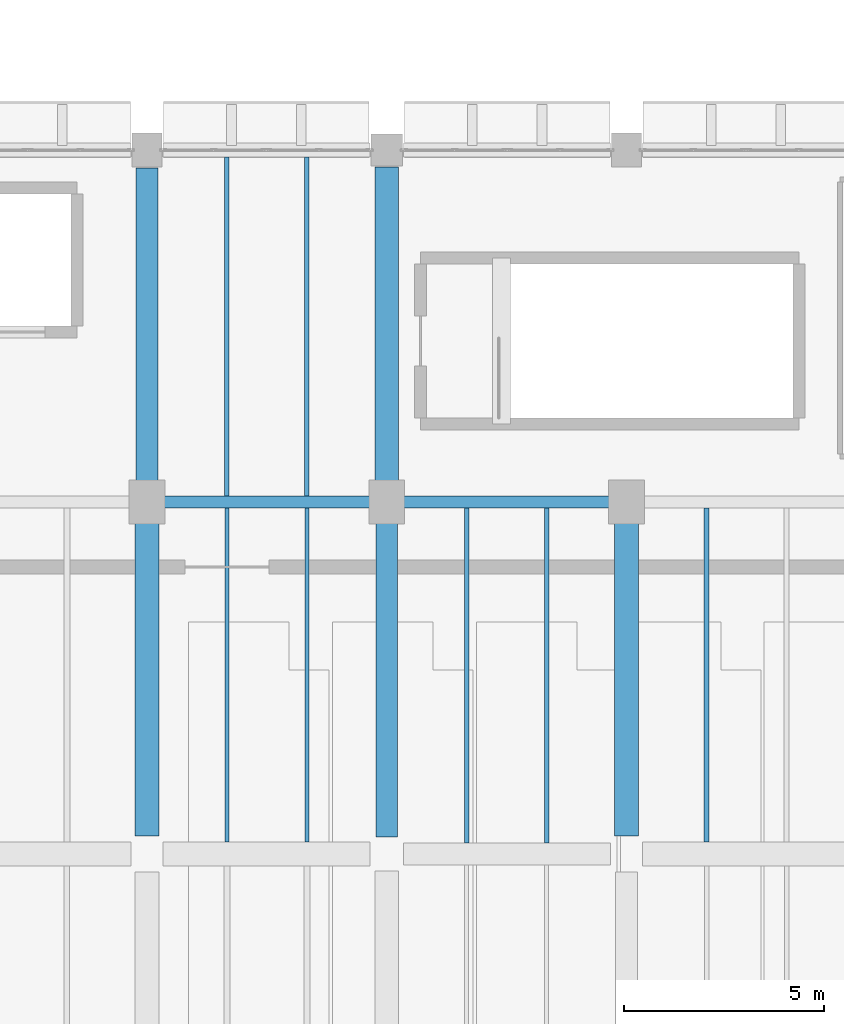
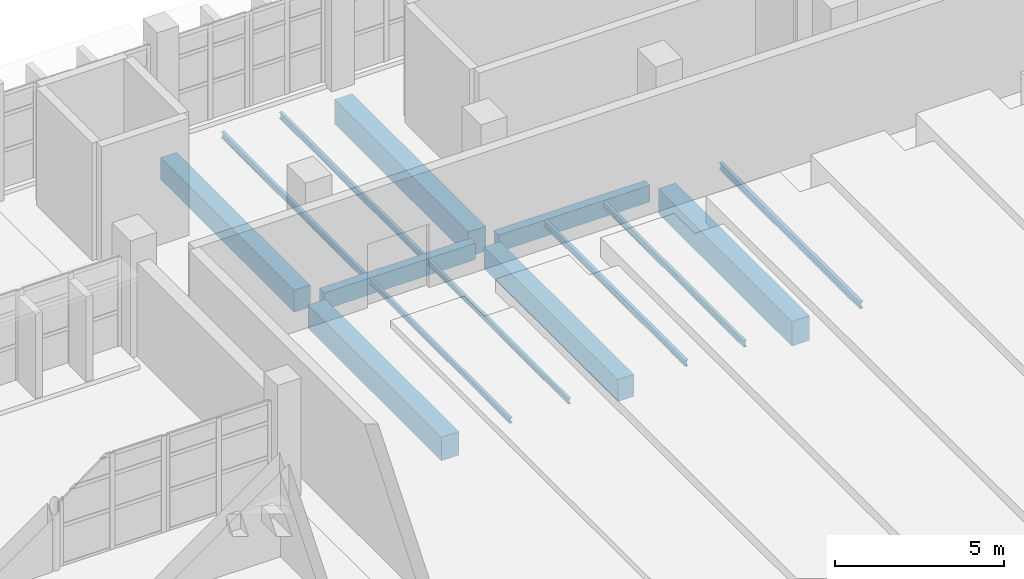
# One storey, part 31 of 76: 14 beams.
"""IFC4 building model written with IfcOpenShell, lengths in metres."""

from ifc_helpers import new_model, si_unit, direction, frame, origin, origin_2d, place, context, subcontext, project, spatial, rectangle, i_section, extrude, material, material_profile, profile_set, type_object, element, save


model = new_model("IFC4")

# Units and contexts
model_context = context("Model", 3, precision=1e-05, world=origin(), true_north=direction((0.0, 1.0)))
body_context = subcontext(model_context, "Body", "Model", "MODEL_VIEW")
ifc_project = project(units=[si_unit("LENGTHUNIT", "METRE"), si_unit("AREAUNIT", "SQUARE_METRE"), si_unit("VOLUMEUNIT", "CUBIC_METRE"), si_unit("PLANEANGLEUNIT", "RADIAN"), si_unit("MASSUNIT", "GRAM", prefix="KILO")], contexts=[model_context])

# Site, building, storey
site_placement = place(None, origin())
site = spatial("IfcSite", under=ifc_project, at=site_placement, CompositionType="ELEMENT")
building_placement = place(site_placement, origin())
building = spatial("IfcBuilding", under=site, at=building_placement, Name="Varnakota Cinema and Media Centre", CompositionType="ELEMENT")
storey_placement = place(building_placement, origin())
storey = spatial("IfcBuildingStorey", under=building, at=storey_placement, Name="L00", CompositionType="ELEMENT", Elevation=0.0)

# Beams
ifc_material_1 = material(Name="Concrete M35", Category="concrete")
ifc_material_profile_1 = material_profile(ifc_material_1, rectangle(XDim=0.550048828125, YDim=0.800048828125, at=origin_2d()), Name="RCB 550x800")
ifc_profile_set_1 = profile_set([ifc_material_profile_1], Name="Concrete M35")
beam_type_1 = type_object("IfcBeamType", Name="BM-RC-550x800", PredefinedType="BEAM", material=ifc_profile_set_1)
for number, where, z_axis, x_axis, name in (
    (1, (81.0, 35.625, -0.679931640625), (0.0, 1.0, 0.0), (-1.0, 0.0, 0.0), "L00 girder L/5-6"),
    (2, (87.0, 26.824951171875, -0.679931640625), (0.0, 1.0, 0.0), (-1.0, 0.0, 0.0), "L00 girder M/4-5"),
):
    element("IfcBeam", number, at=place(storey_placement, frame(where, z_axis=z_axis, x_axis=x_axis)), inside=storey, type_object=beam_type_1, Name=name, PredefinedType="BEAM", context=body_context, shape_type="SweptSolid", body=[
        extrude(rectangle(XDim=0.550048828125, YDim=0.800048828125, at=origin_2d()), origin(), (0.0, 0.0, 1.0), 7.925048828125),
    ])
ifc_material_2 = material(Name="Concrete M35", Category="concrete")
ifc_material_profile_2 = material_profile(ifc_material_2, rectangle(XDim=0.60009765625, YDim=0.85009765625, at=origin_2d()), Name="RCB 600x850")
ifc_profile_set_2 = profile_set([ifc_material_profile_2], Name="Concrete M35")
beam_type_2 = type_object("IfcBeamType", Name="BM-RC-600x850", PredefinedType="BEAM", material=ifc_profile_set_2)
beam_1_placement = place(storey_placement, frame((81.0, 26.85009765625, -0.705078125), z_axis=(0.0, 1.0, 0.0), x_axis=(-1.0, 0.0, 0.0)))
element("IfcBeam", 3, at=beam_1_placement, inside=storey, type_object=beam_type_2, Name="L00 girder L/4-5", PredefinedType="BEAM", context=body_context, shape_type="SweptSolid", body=[
    extrude(rectangle(XDim=0.60009765625, YDim=0.85009765625, at=origin_2d()), origin(), (0.0, 0.0, 1.0), 7.9248046875),
])
ifc_material_3 = material(Name="Concrete M40", Category="concrete")
ifc_material_profile_3 = material_profile(ifc_material_3, rectangle(XDim=0.60009765625, YDim=0.89990234375, at=origin_2d()), Name="RCB 600x900")
ifc_profile_set_3 = profile_set([ifc_material_profile_3], Name="Concrete M40")
beam_type_3 = type_object("IfcBeamType", Name="BM-RC-600x900", PredefinedType="BEAM", material=ifc_profile_set_3)
beam_2_placement = place(storey_placement, frame((87.0, 35.64990234375, -0.72998046875), z_axis=(0.0, 1.0, 0.0), x_axis=(-1.0, 0.0, 0.0)))
element("IfcBeam", 4, at=beam_2_placement, inside=storey, type_object=beam_type_3, Name="L00 girder M/5-6", PredefinedType="BEAM", context=body_context, shape_type="SweptSolid", body=[
    extrude(rectangle(XDim=0.60009765625, YDim=0.89990234375, at=origin_2d()), origin(), (0.0, 0.0, 1.0), 7.925048828125),
])
beam_3_placement = place(storey_placement, frame((93.0, 26.85009765625, -0.72998046875), z_axis=(0.0, 1.0, 0.0), x_axis=(-1.0, 0.0, 0.0)))
element("IfcBeam", 5, at=beam_3_placement, inside=storey, type_object=beam_type_3, Name="L00 girder N/4-5", PredefinedType="BEAM", context=body_context, shape_type="SweptSolid", body=[
    extrude(rectangle(XDim=0.60009765625, YDim=0.89990234375, at=origin_2d()), origin(), (0.0, 0.0, 1.0), 7.9248046875),
])
ifc_material_4 = material(Name="Concrete M35", Category="concrete")
ifc_material_profile_4 = material_profile(ifc_material_4, rectangle(XDim=0.300048828125, YDim=0.60009765625, at=origin_2d()), Name="RCB 300x600")
ifc_profile_set_4 = profile_set([ifc_material_profile_4], Name="Concrete M35")
beam_type_4 = type_object("IfcBeamType", Name="BM-SP-300x600", PredefinedType="SPANDREL", material=ifc_profile_set_4)
for number, where, z_axis, x_axis, name in (
    (6, (81.425048828125, 35.199951171875, -0.580078125), (1.0, 0.0, 0.0), (0.0, 1.0, 0.0), "L00 girder L-M/5"),
    (7, (87.39990234375, 35.199951171875, -0.580078125), (1.0, 0.0, 0.0), (0.0, 1.0, 0.0), "L00 girder M-N/5"),
):
    element("IfcBeam", number, at=place(storey_placement, frame(where, z_axis=z_axis, x_axis=x_axis)), inside=storey, type_object=beam_type_4, Name=name, PredefinedType="SPANDREL", context=body_context, shape_type="SweptSolid", body=[
        extrude(rectangle(XDim=0.300048828125, YDim=0.60009765625, at=origin_2d()), origin(), (0.0, 0.0, 1.0), 5.175048828125),
    ])
ifc_material_5 = material(Name="Structural steel Grade 350 (E350)", Category="steel")
ifc_material_profile_5 = material_profile(ifc_material_5, i_section(OverallWidth=0.10009765625, OverallDepth=0.199951171875, WebThickness=0.005615234375, FlangeThickness=0.0107421875, FilletRadius=0.010986328125, at=origin_2d()), Name="ISMB 200")
ifc_profile_set_5 = profile_set([ifc_material_profile_5], Name="Structural steel Grade 350 (E350)")
beam_type_5 = type_object("IfcBeamType", Name="BM-ST-ISMB200", PredefinedType="JOIST", material=ifc_profile_set_5)
for number, where, z_axis, x_axis, name in (
    (8, (83.0, 26.699951171875, -0.3798828125), (0.0, 1.0, 0.0), (-1.0, 0.0, 0.0), "L00 steel joist L-M/4-5 #1"),
    (9, (85.0, 26.699951171875, -0.3798828125), (0.0, 1.0, 0.0), (-1.0, 0.0, 0.0), "L00 steel joist L-M/4-5 #2"),
):
    element("IfcBeam", number, at=place(storey_placement, frame(where, z_axis=z_axis, x_axis=x_axis)), inside=storey, type_object=beam_type_5, Name=name, PredefinedType="JOIST", context=body_context, shape_type="SweptSolid", body=[
        extrude(i_section(OverallWidth=0.10009765625, OverallDepth=0.199951171875, WebThickness=0.005615234375, FlangeThickness=0.0107421875, FilletRadius=0.010986328125, at=origin_2d()), origin(), (0.0, 0.0, 1.0), 8.35009765625),
    ])
ifc_material_6 = material(Name="Structural steel Grade 350 (E350)", Category="steel")
ifc_material_profile_6 = material_profile(ifc_material_6, i_section(OverallWidth=0.110107421875, OverallDepth=0.22509765625, WebThickness=0.006591796875, FlangeThickness=0.01171875, FilletRadius=0.011962890625, at=origin_2d()), Name="ISMB 225")
ifc_profile_set_6 = profile_set([ifc_material_profile_6], Name="Structural steel Grade 350 (E350)")
beam_type_6 = type_object("IfcBeamType", Name="BM-ST-ISMB225", PredefinedType="JOIST", material=ifc_profile_set_6)
for number, where, z_axis, x_axis, name in (
    (10, (83.0, 35.35009765625, -0.392578125), (0.0, 1.0, 0.0), (-1.0, 0.0, 0.0), "L00 steel joist L-M/5-6 #1"),
    (11, (85.0, 35.35009765625, -0.392578125), (0.0, 1.0, 0.0), (-1.0, 0.0, 0.0), "L00 steel joist L-M/5-6 #2"),
):
    element("IfcBeam", number, at=place(storey_placement, frame(where, z_axis=z_axis, x_axis=x_axis)), inside=storey, type_object=beam_type_6, Name=name, PredefinedType="JOIST", context=body_context, shape_type="SweptSolid", body=[
        extrude(i_section(OverallWidth=0.110107421875, OverallDepth=0.22509765625, WebThickness=0.006591796875, FlangeThickness=0.01171875, FilletRadius=0.011962890625, at=origin_2d()), origin(), (0.0, 0.0, 1.0), 8.474853515625),
    ])
for number, where, z_axis, x_axis, name in (
    (12, (89.0, 26.675048828125, -0.392578125), (0.0, 1.0, 0.0), (-1.0, 0.0, 0.0), "L00 steel joist M-N/4-5 #1"),
    (13, (91.0, 26.675048828125, -0.392578125), (0.0, 1.0, 0.0), (-1.0, 0.0, 0.0), "L00 steel joist M-N/4-5 #2"),
):
    element("IfcBeam", number, at=place(storey_placement, frame(where, z_axis=z_axis, x_axis=x_axis)), inside=storey, type_object=beam_type_6, Name=name, PredefinedType="JOIST", context=body_context, shape_type="SweptSolid", body=[
        extrude(i_section(OverallWidth=0.110107421875, OverallDepth=0.22509765625, WebThickness=0.006591796875, FlangeThickness=0.01171875, FilletRadius=0.011962890625, at=origin_2d()), origin(), (0.0, 0.0, 1.0), 8.375),
    ])
ifc_material_7 = material(Name="Structural steel Grade 350 (E350)", Category="steel")
ifc_material_profile_7 = material_profile(ifc_material_7, i_section(OverallWidth=0.125, OverallDepth=0.25, WebThickness=0.0068359375, FlangeThickness=0.012451171875, FilletRadius=0.012939453125, at=origin_2d()), Name="ISMB 250")
ifc_profile_set_7 = profile_set([ifc_material_profile_7], Name="Structural steel Grade 350 (E350)")
beam_type_7 = type_object("IfcBeamType", Name="BM-ST-ISMB250", PredefinedType="JOIST", material=ifc_profile_set_7)
beam_4_placement = place(storey_placement, frame((95.0, 26.699951171875, -0.405029296875), z_axis=(0.0, 1.0, 0.0), x_axis=(-1.0, 0.0, 0.0)))
element("IfcBeam", 14, at=beam_4_placement, inside=storey, type_object=beam_type_7, Name="L00 steel joist N-P/4-5 #1", PredefinedType="JOIST", context=body_context, shape_type="SweptSolid", body=[
    extrude(i_section(OverallWidth=0.125, OverallDepth=0.25, WebThickness=0.0068359375, FlangeThickness=0.012451171875, FilletRadius=0.012939453125, at=origin_2d()), origin(), (0.0, 0.0, 1.0), 8.35009765625),
])

save(model, "model.ifc")
